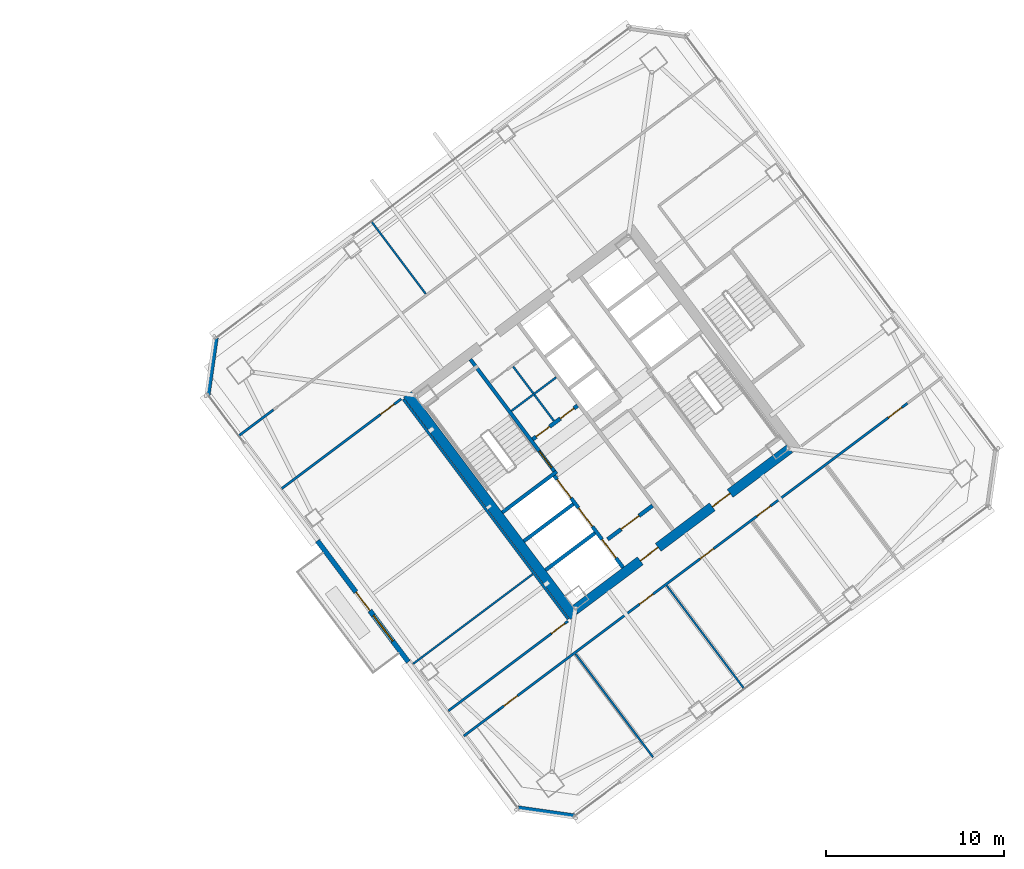
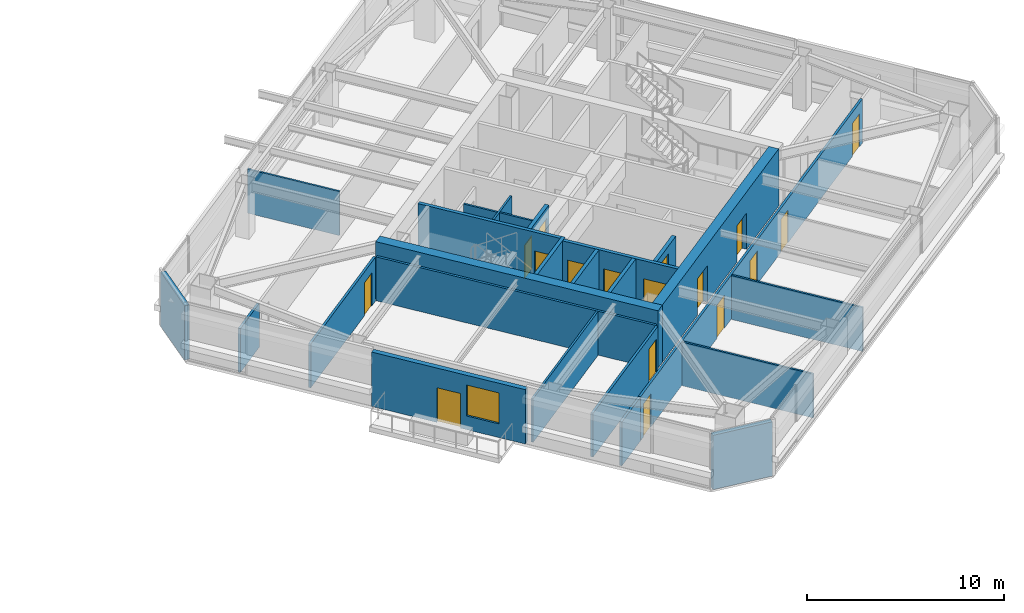
# One storey, part 33 of 41: 24 walls, 17 doors, 1 window, 18 openings.
"""IFC4 building model written with IfcOpenShell, lengths in metres."""

from ifc_helpers import new_model, si_unit, direction, frame, frame_2d, origin, place, context, subcontext, project, spatial, rectangle, extrude, material, layer, layer_set, type_object, element, fill, save


model = new_model("IFC4")

# Units and contexts
model_context = context("Model", 3, precision=1e-05, world=origin(), true_north=direction((0.0, 1.0)))
body_context = subcontext(model_context, "Body", "Model", "MODEL_VIEW")
ifc_project = project(units=[si_unit("LENGTHUNIT", "METRE"), si_unit("AREAUNIT", "SQUARE_METRE"), si_unit("VOLUMEUNIT", "CUBIC_METRE"), si_unit("PLANEANGLEUNIT", "RADIAN"), si_unit("MASSUNIT", "GRAM", prefix="KILO")], contexts=[model_context])

# Site, building, storey
site_placement = place(None, origin())
site = spatial("IfcSite", under=ifc_project, at=site_placement, CompositionType="ELEMENT")
building_placement = place(site_placement, origin())
building = spatial("IfcBuilding", under=site, at=building_placement, Name="Tashvorn Skyway Center", CompositionType="ELEMENT")
storey_placement = place(building_placement, frame((0.0, 0.0, 174.75)))
storey = spatial("IfcBuildingStorey", under=building, at=storey_placement, Name="L47", CompositionType="ELEMENT", Elevation=174.75)

# Wall
ifc_material_1 = material(Name="Concrete C60/75", Category="concrete")
ifc_layer_1 = layer(ifc_material_1, 0.550048828125)
ifc_layer_set_1 = layer_set([ifc_layer_1], Name="Concrete C60/75")
wall_type_1 = type_object("IfcWallType", Name="WALL-CORE-550", PredefinedType="SHEAR", material=ifc_layer_set_1)
wall_1_placement = place(storey_placement, frame((112.43603515625, 21.076904296875, 0.0), z_axis=(0.0, 0.0, 1.0), x_axis=(-0.600005007985, 0.799996243986, 0.0)))
element("IfcWall", 1, at=wall_1_placement, inside=storey, type_object=wall_type_1, Name="Tower 2 L47 West Core Shear Wall", PredefinedType="SHEAR", context=body_context, shape_type="SweptSolid", body=[
    extrude(rectangle(XDim=15.60009765625, YDim=0.550048828125, at=frame_2d((7.800048828125, 0.0))), origin(), (0.0, 0.0, 1.0), 3.550048828125),
])

# Wall, openings, doors
wall_2_placement = place(storey_placement, frame((124.5390625, 30.498046875, 0.0), z_axis=(0.0, 0.0, 1.0), x_axis=(-0.799998054672, -0.600002593761, 0.0)))
wall_2 = element("IfcWall", 2, at=wall_2_placement, inside=storey, type_object=wall_type_1, Name="Tower 2 L47 South Core Shear Wall", PredefinedType="SHEAR", context=body_context, shape_type="SweptSolid", body=[
    extrude(rectangle(XDim=15.06005859375, YDim=0.550048828125, at=frame_2d((7.530029296875, 0.0))), origin(), (0.0, 0.0, 1.0), 3.550048828125),
])
opening_1_placement = place(wall_2_placement, frame((9.22998046875, 0.0, 0.0)))
opening_1 = element("IfcOpeningElement", 3, at=opening_1_placement, cuts=wall_2, Name="Opening D-FFL-1250", PredefinedType="OPENING", context=body_context, shape_type="SweptSolid", body=[
    extrude(rectangle(XDim=1.25, YDim=2.25, at=frame_2d((0.625, 1.125))), frame((0.0, 0.284912109375, 0.0), z_axis=(0.0, -1.0, 0.0), x_axis=(1.0, 0.0, 0.0)), (0.0, 0.0, 1.0), 0.570068359375),
])
opening_2_placement = place(wall_2_placement, frame((4.179931640625, 0.0, 0.0)))
opening_2 = element("IfcOpeningElement", 4, at=opening_2_placement, cuts=wall_2, Name="Opening D-FFL-1250", PredefinedType="OPENING", context=body_context, shape_type="SweptSolid", body=[
    extrude(rectangle(XDim=1.25, YDim=2.25, at=frame_2d((0.625, 1.125))), frame((0.0, 0.284912109375, 0.0), z_axis=(0.0, -1.0, 0.0), x_axis=(1.0, 0.0, 0.0)), (0.0, 0.0, 1.0), 0.570068359375),
])
ifc_material_2 = material(Name="Hollow galvanized steel fire door assembly", Category="steel")
door_type_1 = type_object("IfcDoorType", Name="DOOR-FFL-1250", OperationType="NOTDEFINED", PredefinedType="DOOR", material=ifc_material_2)
door_1_placement = place(opening_1_placement, origin())
door_1 = element("IfcDoor", 5, at=door_1_placement, inside=storey, type_object=door_type_1, Name="Tower 2 L47 Core South Firefighting Exit Door", OperationType="SINGLE_SWING_LEFT", OverallHeight=2.25, OverallWidth=1.25, PredefinedType="DOOR", context=body_context, shape_type="SweptSolid", body=[
    extrude(rectangle(XDim=1.25, YDim=2.25, at=frame_2d((0.625, 1.125))), frame((0.0, 0.02490234375, 0.0), z_axis=(0.0, -1.0, 0.0), x_axis=(1.0, 0.0, 0.0)), (0.0, 0.0, 1.0), 0.050048828125),
])
fill(opening_1, door_1)
door_2_placement = place(opening_2_placement, origin())
door_2 = element("IfcDoor", 6, at=door_2_placement, inside=storey, type_object=door_type_1, Name="Tower 2 L47 Core South Lift Lobby Door", OperationType="SINGLE_SWING_RIGHT", OverallHeight=2.25, OverallWidth=1.25, PredefinedType="DOOR", context=body_context, shape_type="SweptSolid", body=[
    extrude(rectangle(XDim=1.25, YDim=2.25, at=frame_2d((0.625, 1.125))), frame((0.0, 0.02490234375, 0.0), z_axis=(0.0, -1.0, 0.0), x_axis=(1.0, 0.0, 0.0)), (0.0, 0.0, 1.0), 0.050048828125),
])
fill(opening_2, door_2)

# Wall, openings, door, window
ifc_material_3 = material(Name="Precast concrete C40/50", Category="concrete")
ifc_layer_2 = layer(ifc_material_3, 0.280029296875)
ifc_layer_set_2 = layer_set([ifc_layer_2], Name="Precast concrete C40/50")
wall_type_2 = type_object("IfcWallType", Name="WALL-EXT-280", PredefinedType="SOLIDWALL", material=ifc_layer_set_2)
wall_3_placement = place(storey_placement, frame((103.1259765625, 18.531982421875, 0.0), z_axis=(0.0, 0.0, 1.0), x_axis=(-0.600004595526, 0.799996553335, 0.0)))
wall_3 = element("IfcWall", 7, at=wall_3_placement, inside=storey, type_object=wall_type_2, Name="Tower 2 L47 West Terrace Portal Wall", PredefinedType="SOLIDWALL", context=body_context, shape_type="SweptSolid", body=[
    extrude(rectangle(XDim=8.5, YDim=0.280029296875, at=frame_2d((4.25, 0.0))), origin(), (0.0, 0.0, 1.0), 3.3701171875),
])
opening_3_placement = place(wall_3_placement, frame((3.60009765625, 0.0, 0.0)))
opening_3 = element("IfcOpeningElement", 8, at=opening_3_placement, cuts=wall_3, Name="Opening D-TER-1300", PredefinedType="OPENING", context=body_context, shape_type="SweptSolid", body=[
    extrude(rectangle(XDim=1.300048828125, YDim=2.14990234375, at=frame_2d((0.64990234375, 1.074951171875))), frame((0.0, 0.14990234375, 0.0), z_axis=(0.0, -1.0, 0.0), x_axis=(1.0, 0.0, 0.0)), (0.0, 0.0, 1.0), 0.300048828125),
])
opening_4_placement = place(wall_3_placement, frame((1.4599609375, 0.0, 0.85009765625)))
opening_4 = element("IfcOpeningElement", 9, at=opening_4_placement, cuts=wall_3, Name="Opening WIN-1800", PredefinedType="OPENING", context=body_context, shape_type="SweptSolid", body=[
    extrude(rectangle(XDim=1.800048828125, YDim=1.919921875, at=frame_2d((0.89990234375, 0.9599609375))), frame((0.0, 0.14990234375, 0.0), z_axis=(0.0, -1.0, 0.0), x_axis=(1.0, 0.0, 0.0)), (0.0, 0.0, 1.0), 0.300048828125),
])
ifc_material_4 = material(Name="Thermally broken bronze-anodized aluminium 6063-T6", Category="aluminium")
door_type_2 = type_object("IfcDoorType", Name="DOOR-TERR-1300", OperationType="NOTDEFINED", PredefinedType="DOOR", material=ifc_material_4)
door_3_placement = place(opening_3_placement, origin())
door_3 = element("IfcDoor", 10, at=door_3_placement, inside=storey, type_object=door_type_2, Name="Tower 2 L47 Terrace Access Door", OperationType="SINGLE_SWING_RIGHT", OverallHeight=2.14990234375, OverallWidth=1.300048828125, PredefinedType="DOOR", context=body_context, shape_type="SweptSolid", body=[
    extrude(rectangle(XDim=1.300048828125, YDim=2.14990234375, at=frame_2d((0.64990234375, 1.074951171875))), frame((0.0, 0.02490234375, 0.0), z_axis=(0.0, -1.0, 0.0), x_axis=(1.0, 0.0, 0.0)), (0.0, 0.0, 1.0), 0.050048828125),
])
fill(opening_3, door_3)
ifc_material_5 = material(Name="Low-E solar-control double insulating safety glass", Category="glass")
window_type = type_object("IfcWindowType", Name="WIN-TERR-1800", PartitioningType="SINGLE_PANEL", PredefinedType="WINDOW", material=ifc_material_5)
window_placement = place(opening_4_placement, origin())
window = element("IfcWindow", 11, at=window_placement, inside=storey, type_object=window_type, Name="Tower 2 L47 Terrace Window", OverallHeight=1.919921875, OverallWidth=1.800048828125, PartitioningType="SINGLE_PANEL", PredefinedType="WINDOW", context=body_context, shape_type="SweptSolid", body=[
    extrude(rectangle(XDim=1.800048828125, YDim=1.919921875, at=frame_2d((0.89990234375, 0.9599609375))), frame((0.0, 0.030029296875, 0.0), z_axis=(0.0, -1.0, 0.0), x_axis=(1.0, 0.0, 0.0)), (0.0, 0.0, 1.0), 0.06005859375),
])
fill(opening_4, window)

# Walls
for number, where, z_axis, x_axis, name in (
    (12, (112.47998046875, 9.860107421875, 0.0), (0.0, 0.0, 1.0), (-0.989950994782, 0.141410847992, 0.0), "Tower 2 L47 SW Precast Chamfer Wall"),
    (13, (91.860107421875, 33.52001953125, 0.0), (0.0, 0.0, 1.0), (0.141410847992, 0.989950994782, 0.0), "Tower 2 L47 NW Precast Chamfer Wall"),
):
    element("IfcWall", number, at=place(storey_placement, frame(where, z_axis=z_axis, x_axis=x_axis)), inside=storey, type_object=wall_type_2, Name=name, PredefinedType="SOLIDWALL", context=body_context, shape_type="SweptSolid", body=[
        extrude(rectangle(XDim=3.252685546875, YDim=0.280029296875, at=frame_2d((1.62646484375, 0.0))), origin(), (0.0, 0.0, 1.0), 3.3701171875),
    ])

# Wall, openings, doors
ifc_material_6 = material(Name="Concrete C40/50", Category="concrete")
ifc_layer_3 = layer(ifc_material_6, 0.219970703125)
ifc_layer_set_3 = layer_set([ifc_layer_3], Name="Concrete C40/50")
wall_type_3 = type_object("IfcWallType", Name="WALL-FFL-220", PredefinedType="SOLIDWALL", material=ifc_layer_set_3)
wall_4_placement = place(storey_placement, frame((110.10400390625, 31.028076171875, 0.0), z_axis=(0.0, 0.0, 1.0), x_axis=(0.800018601094, 0.59997519774, 0.0)))
wall_4 = element("IfcWall", 14, at=wall_4_placement, inside=storey, type_object=wall_type_3, Name="Tower 2 L47 Firefighting Lobby North Wall", PredefinedType="SOLIDWALL", context=body_context, shape_type="SweptSolid", body=[
    extrude(rectangle(XDim=3.14990234375, YDim=0.219970703125, at=frame_2d((1.574951171875, 0.0))), origin(), (0.0, 0.0, 1.0), 2.722900390625),
])
opening_5_placement = place(wall_4_placement, frame((0.25, 0.0, 0.0)))
opening_5 = element("IfcOpeningElement", 15, at=opening_5_placement, cuts=wall_4, Name="Opening D-RT-950", PredefinedType="OPENING", context=body_context, shape_type="SweptSolid", body=[
    extrude(rectangle(XDim=0.949951171875, YDim=2.050048828125, at=frame_2d((0.47509765625, 1.02490234375))), frame((0.0, 0.119873046875, 0.0), z_axis=(0.0, -1.0, 0.0), x_axis=(1.0, 0.0, 0.0)), (0.0, 0.0, 1.0), 0.239990234375),
])
opening_6_placement = place(wall_4_placement, frame((1.949951171875, 0.0, 0.0)))
opening_6 = element("IfcOpeningElement", 16, at=opening_6_placement, cuts=wall_4, Name="Opening D-RT-950", PredefinedType="OPENING", context=body_context, shape_type="SweptSolid", body=[
    extrude(rectangle(XDim=0.949951171875, YDim=2.050048828125, at=frame_2d((0.47509765625, 1.02490234375))), frame((0.0, 0.119873046875, 0.0), z_axis=(0.0, -1.0, 0.0), x_axis=(1.0, 0.0, 0.0)), (0.0, 0.0, 1.0), 0.239990234375),
])
door_type_3 = type_object("IfcDoorType", Name="DOOR-RATED-950", OperationType="NOTDEFINED", PredefinedType="DOOR", material=ifc_material_2)
door_4_placement = place(opening_5_placement, origin())
door_4 = element("IfcDoor", 17, at=door_4_placement, inside=storey, type_object=door_type_3, Name="Tower 2 L47 Core Mail Room Door", OperationType="SINGLE_SWING_LEFT", OverallHeight=2.050048828125, OverallWidth=0.949951171875, PredefinedType="DOOR", context=body_context, shape_type="SweptSolid", body=[
    extrude(rectangle(XDim=0.949951171875, YDim=2.050048828125, at=frame_2d((0.47509765625, 1.02490234375))), frame((0.0, 0.02490234375, 0.0), z_axis=(0.0, -1.0, 0.0), x_axis=(1.0, 0.0, 0.0)), (0.0, 0.0, 1.0), 0.050048828125),
])
fill(opening_5, door_4)
door_5_placement = place(opening_6_placement, origin())
door_5 = element("IfcDoor", 18, at=door_5_placement, inside=storey, type_object=door_type_3, Name="Tower 2 L47 Core Supply Closet Door", OperationType="SINGLE_SWING_RIGHT", OverallHeight=2.050048828125, OverallWidth=0.949951171875, PredefinedType="DOOR", context=body_context, shape_type="SweptSolid", body=[
    extrude(rectangle(XDim=0.949951171875, YDim=2.050048828125, at=frame_2d((0.47509765625, 1.02490234375))), frame((0.0, 0.02490234375, 0.0), z_axis=(0.0, -1.0, 0.0), x_axis=(1.0, 0.0, 0.0)), (0.0, 0.0, 1.0), 0.050048828125),
])
fill(opening_6, door_5)

# Wall, opening, door
wall_5_placement = place(storey_placement, frame((114.31591796875, 25.412109375, 0.0), z_axis=(0.0, 0.0, 1.0), x_axis=(0.800018601094, 0.59997519774, 0.0)))
wall_5 = element("IfcWall", 19, at=wall_5_placement, inside=storey, type_object=wall_type_3, Name="Tower 2 L47 Firefighting Lobby South Wall", PredefinedType="SOLIDWALL", context=body_context, shape_type="SweptSolid", body=[
    extrude(rectangle(XDim=3.14990234375, YDim=0.219970703125, at=frame_2d((1.574951171875, 0.0))), origin(), (0.0, 0.0, 1.0), 2.722900390625),
])
opening_7_placement = place(wall_5_placement, frame((0.949951171875, 0.0, 0.0)))
opening_7 = element("IfcOpeningElement", 20, at=opening_7_placement, cuts=wall_5, Name="Opening D-FFL-1250", PredefinedType="OPENING", context=body_context, shape_type="SweptSolid", body=[
    extrude(rectangle(XDim=1.25, YDim=2.25, at=frame_2d((0.625, 1.125))), frame((0.0, 0.119873046875, 0.0), z_axis=(0.0, -1.0, 0.0), x_axis=(1.0, 0.0, 0.0)), (0.0, 0.0, 1.0), 0.239990234375),
])
door_6_placement = place(opening_7_placement, origin())
door_6 = element("IfcDoor", 21, at=door_6_placement, inside=storey, type_object=door_type_1, Name="Tower 2 L47 Firefighting Lobby Egress Door", OperationType="SINGLE_SWING_LEFT", OverallHeight=2.25, OverallWidth=1.25, PredefinedType="DOOR", context=body_context, shape_type="SweptSolid", body=[
    extrude(rectangle(XDim=1.25, YDim=2.25, at=frame_2d((0.625, 1.125))), frame((0.0, 0.02490234375, 0.0), z_axis=(0.0, -1.0, 0.0), x_axis=(1.0, 0.0, 0.0)), (0.0, 0.0, 1.0), 0.050048828125),
])
fill(opening_7, door_6)

# Walls
ifc_material_7 = material(Name="Gypsum board on cold-formed steel stud framing", Category="steel")
ifc_layer_4 = layer(ifc_material_7, 0.110107421875)
ifc_layer_set_4 = layer_set([ifc_layer_4], Name="Gypsum board on cold-formed steel stud framing")
wall_type_4 = type_object("IfcWallType", Name="WALL-PART-110", PredefinedType="PARTITIONING", material=ifc_layer_set_4)
wall_6_placement = place(storey_placement, frame((104.10009765625, 39.199951171875, 0.0), z_axis=(0.0, 0.0, 1.0), x_axis=(-0.600015378737, 0.799988465716, 0.0)))
element("IfcWall", 22, at=wall_6_placement, inside=storey, type_object=wall_type_4, Name="Tower 2 L47 North Suite Partition 1", PredefinedType="PARTITIONING", context=body_context, shape_type="SweptSolid", body=[
    extrude(rectangle(XDim=5.080078125, YDim=0.110107421875, at=frame_2d((2.5400390625, 0.0))), origin(), (0.0, 0.0, 1.0), 2.722900390625),
])
for number, where, z_axis, x_axis, name in (
    (23, (116.867919921875, 13.176025390625, 0.0), (0.0, 0.0, 1.0), (-0.599983835976, 0.800012122763, 0.0), "Tower 2 L47 South Suite Partition 1"),
    (24, (121.988037109375, 17.01611328125, 0.0), (0.0, 0.0, 1.0), (-0.600021551797, 0.799983835699, 0.0), "Tower 2 L47 South Suite Partition 2"),
):
    element("IfcWall", number, at=place(storey_placement, frame(where, z_axis=z_axis, x_axis=x_axis)), inside=storey, type_object=wall_type_4, Name=name, PredefinedType="PARTITIONING", context=body_context, shape_type="SweptSolid", body=[
        extrude(rectangle(XDim=7.25, YDim=0.110107421875, at=frame_2d((3.625, 0.0))), origin(), (0.0, 0.0, 1.0), 2.722900390625),
    ])
wall_7_placement = place(storey_placement, frame((103.39599609375, 18.422119140625, 0.0), z_axis=(0.0, 0.0, 1.0), x_axis=(0.8, 0.6, 0.0)))
element("IfcWall", 25, at=wall_7_placement, inside=storey, type_object=wall_type_4, Name="Tower 2 L47 West Mid Partition", PredefinedType="PARTITIONING", context=body_context, shape_type="SweptSolid", body=[
    extrude(rectangle(XDim=8.389892578125, YDim=0.110107421875, at=frame_2d((4.19482421875, 0.0))), origin(), (0.0, 0.0, 1.0), 2.722900390625),
])
ifc_layer_5 = layer(ifc_material_7, 0.135009765625)
ifc_layer_set_5 = layer_set([ifc_layer_5], Name="Gypsum board on cold-formed steel stud framing")
wall_type_5 = type_object("IfcWallType", Name="WALL-PART-135", PredefinedType="PARTITIONING", material=ifc_layer_set_5)
wall_8_placement = place(storey_placement, frame((93.60400390625, 31.22802734375, 0.0), z_axis=(0.0, 0.0, 1.0), x_axis=(0.800012055778, 0.599983925293, 0.0)))
element("IfcWall", 26, at=wall_8_placement, inside=storey, type_object=wall_type_5, Name="Tower 2 L47 North-West Suite South Wall", PredefinedType="PARTITIONING", context=body_context, shape_type="SweptSolid", body=[
    extrude(rectangle(XDim=2.43017578125, YDim=0.135009765625, at=frame_2d((1.215087890625, 0.0))), origin(), (0.0, 0.0, 1.0), 2.722900390625),
])

# Wall, openings, doors
wall_9_placement = place(storey_placement, frame((131.14990234375, 33.050048828125, 0.0), z_axis=(0.0, 0.0, 1.0), x_axis=(-0.8, -0.6, 0.0)))
wall_9 = element("IfcWall", 27, at=wall_9_placement, inside=storey, type_object=wall_type_5, Name="Tower 2 L47 South Suite Wall", PredefinedType="PARTITIONING", context=body_context, shape_type="SweptSolid", body=[
    extrude(rectangle(XDim=28.699951171875, YDim=0.135009765625, at=frame_2d((14.35009765625, 0.0))), origin(), (0.0, 0.0, 1.0), 2.722900390625),
])
opening_8_placement = place(wall_9_placement, frame((27.3701171875, 0.0, 0.0)))
opening_8 = element("IfcOpeningElement", 28, at=opening_8_placement, cuts=wall_9, Name="Opening D-INT-950", PredefinedType="OPENING", context=body_context, shape_type="SweptSolid", body=[
    extrude(rectangle(XDim=0.949951171875, YDim=2.050048828125, at=frame_2d((0.47509765625, 1.02490234375))), frame((0.0, 0.077392578125, 0.0), z_axis=(0.0, -1.0, 0.0), x_axis=(1.0, 0.0, 0.0)), (0.0, 0.0, 1.0), 0.155029296875),
])
opening_9_placement = place(wall_9_placement, frame((17.85107421875, 0.0, 0.0)))
opening_9 = element("IfcOpeningElement", 29, at=opening_9_placement, cuts=wall_9, Name="Opening D-INT-950", PredefinedType="OPENING", context=body_context, shape_type="SweptSolid", body=[
    extrude(rectangle(XDim=0.949951171875, YDim=2.050048828125, at=frame_2d((0.47509765625, 1.02490234375))), frame((0.0, 0.077392578125, 0.0), z_axis=(0.0, -1.0, 0.0), x_axis=(1.0, 0.0, 0.0)), (0.0, 0.0, 1.0), 0.155029296875),
])
opening_10_placement = place(wall_9_placement, frame((13.601318359375, 0.0, 0.0)))
opening_10 = element("IfcOpeningElement", 30, at=opening_10_placement, cuts=wall_9, Name="Opening D-INT-950", PredefinedType="OPENING", context=body_context, shape_type="SweptSolid", body=[
    extrude(rectangle(XDim=0.949951171875, YDim=2.050048828125, at=frame_2d((0.47509765625, 1.02490234375))), frame((0.0, 0.077392578125, 0.0), z_axis=(0.0, -1.0, 0.0), x_axis=(1.0, 0.0, 0.0)), (0.0, 0.0, 1.0), 0.155029296875),
])
opening_11_placement = place(wall_9_placement, frame((9.6201171875, 0.0, 0.0)))
opening_11 = element("IfcOpeningElement", 31, at=opening_11_placement, cuts=wall_9, Name="Opening D-INT-950", PredefinedType="OPENING", context=body_context, shape_type="SweptSolid", body=[
    extrude(rectangle(XDim=0.949951171875, YDim=2.050048828125, at=frame_2d((0.47509765625, 1.02490234375))), frame((0.0, 0.077392578125, 0.0), z_axis=(0.0, -1.0, 0.0), x_axis=(1.0, 0.0, 0.0)), (0.0, 0.0, 1.0), 0.155029296875),
])
opening_12_placement = place(wall_9_placement, frame((0.3798828125, 0.0, 0.0)))
opening_12 = element("IfcOpeningElement", 32, at=opening_12_placement, cuts=wall_9, Name="Opening D-INT-950", PredefinedType="OPENING", context=body_context, shape_type="SweptSolid", body=[
    extrude(rectangle(XDim=0.949951171875, YDim=2.050048828125, at=frame_2d((0.47509765625, 1.02490234375))), frame((0.0, 0.077392578125, 0.0), z_axis=(0.0, -1.0, 0.0), x_axis=(1.0, 0.0, 0.0)), (0.0, 0.0, 1.0), 0.155029296875),
])
ifc_material_8 = material(Name="Solid-core architectural oak veneer door")
door_type_4 = type_object("IfcDoorType", Name="DOOR-INT-950", OperationType="NOTDEFINED", PredefinedType="DOOR", material=ifc_material_8)
door_7_placement = place(opening_8_placement, origin())
door_7 = element("IfcDoor", 33, at=door_7_placement, inside=storey, type_object=door_type_4, Name="Tower 2 L47 Executive Study Lounge Door", OperationType="SINGLE_SWING_LEFT", OverallHeight=2.050048828125, OverallWidth=0.949951171875, PredefinedType="DOOR", context=body_context, shape_type="SweptSolid", body=[
    extrude(rectangle(XDim=0.949951171875, YDim=2.050048828125, at=frame_2d((0.47509765625, 1.02490234375))), frame((0.0, 0.02490234375, 0.0), z_axis=(0.0, -1.0, 0.0), x_axis=(1.0, 0.0, 0.0)), (0.0, 0.0, 1.0), 0.050048828125),
])
fill(opening_8, door_7)
door_8_placement = place(opening_9_placement, origin())
door_8 = element("IfcDoor", 34, at=door_8_placement, inside=storey, type_object=door_type_4, Name="Tower 2 L47 Collaborative Studio Door", OperationType="SINGLE_SWING_RIGHT", OverallHeight=2.050048828125, OverallWidth=0.949951171875, PredefinedType="DOOR", context=body_context, shape_type="SweptSolid", body=[
    extrude(rectangle(XDim=0.949951171875, YDim=2.050048828125, at=frame_2d((0.47509765625, 1.02490234375))), frame((0.0, 0.02490234375, 0.0), z_axis=(0.0, -1.0, 0.0), x_axis=(1.0, 0.0, 0.0)), (0.0, 0.0, 1.0), 0.050048828125),
])
fill(opening_9, door_8)
door_9_placement = place(opening_10_placement, origin())
door_9 = element("IfcDoor", 35, at=door_9_placement, inside=storey, type_object=door_type_4, Name="Tower 2 L47 Collaborative Studio Door", OperationType="SINGLE_SWING_LEFT", OverallHeight=2.050048828125, OverallWidth=0.949951171875, PredefinedType="DOOR", context=body_context, shape_type="SweptSolid", body=[
    extrude(rectangle(XDim=0.949951171875, YDim=2.050048828125, at=frame_2d((0.47509765625, 1.02490234375))), frame((0.0, 0.02490234375, 0.0), z_axis=(0.0, -1.0, 0.0), x_axis=(1.0, 0.0, 0.0)), (0.0, 0.0, 1.0), 0.050048828125),
])
fill(opening_10, door_9)
door_10_placement = place(opening_11_placement, origin())
door_10 = element("IfcDoor", 36, at=door_10_placement, inside=storey, type_object=door_type_4, Name="Tower 2 L47 Reading Lounge Door", OperationType="SINGLE_SWING_RIGHT", OverallHeight=2.050048828125, OverallWidth=0.949951171875, PredefinedType="DOOR", context=body_context, shape_type="SweptSolid", body=[
    extrude(rectangle(XDim=0.949951171875, YDim=2.050048828125, at=frame_2d((0.47509765625, 1.02490234375))), frame((0.0, 0.02490234375, 0.0), z_axis=(0.0, -1.0, 0.0), x_axis=(1.0, 0.0, 0.0)), (0.0, 0.0, 1.0), 0.050048828125),
])
fill(opening_11, door_10)
door_11_placement = place(opening_12_placement, origin())
door_11 = element("IfcDoor", 37, at=door_11_placement, inside=storey, type_object=door_type_4, Name="Tower 2 L47 Open Plan Office Door", OperationType="SINGLE_SWING_LEFT", OverallHeight=2.050048828125, OverallWidth=0.949951171875, PredefinedType="DOOR", context=body_context, shape_type="SweptSolid", body=[
    extrude(rectangle(XDim=0.949951171875, YDim=2.050048828125, at=frame_2d((0.47509765625, 1.02490234375))), frame((0.0, 0.02490234375, 0.0), z_axis=(0.0, -1.0, 0.0), x_axis=(1.0, 0.0, 0.0)), (0.0, 0.0, 1.0), 0.050048828125),
])
fill(opening_12, door_11)

# Walls
wall_10_placement = place(storey_placement, frame((106.24609375, 14.3720703125, 0.0), z_axis=(0.0, 0.0, 1.0), x_axis=(0.799975885537, 0.600032151272, 0.0)))
element("IfcWall", 38, at=wall_10_placement, inside=storey, type_object=wall_type_5, Name="Tower 2 L47 South-West Suite North Wall", PredefinedType="PARTITIONING", context=body_context, shape_type="SweptSolid", body=[
    extrude(rectangle(XDim=2.429931640625, YDim=0.135009765625, at=frame_2d((1.21484375, 0.0))), origin(), (0.0, 0.0, 1.0), 2.722900390625),
])
wall_11_placement = place(storey_placement, frame((112.10400390625, 20.927978515625, 0.0), z_axis=(0.0, 0.0, 1.0), x_axis=(-0.599994940075, 0.800003794918, 0.0)))
element("IfcWall", 39, at=wall_11_placement, inside=storey, type_object=wall_type_5, Name="Tower 2 L47 West Inner Suite Wall", PredefinedType="PARTITIONING", context=body_context, shape_type="SweptSolid", body=[
    extrude(rectangle(XDim=15.43994140625, YDim=0.135009765625, at=frame_2d((7.719970703125, 0.0))), origin(), (0.0, 0.0, 1.0), 2.722900390625),
])

# Wall, opening, door
wall_12_placement = place(storey_placement, frame((102.72802734375, 33.2958984375, 0.0), z_axis=(0.0, 0.0, 1.0), x_axis=(-0.8, -0.6, 0.0)))
wall_12 = element("IfcWall", 40, at=wall_12_placement, inside=storey, type_object=wall_type_5, Name="Tower 2 L47 West Suite North Wall", PredefinedType="PARTITIONING", context=body_context, shape_type="SweptSolid", body=[
    extrude(rectangle(XDim=8.389892578125, YDim=0.135009765625, at=frame_2d((4.19482421875, 0.0))), origin(), (0.0, 0.0, 1.0), 2.722900390625),
])
opening_13_placement = place(wall_12_placement, frame((0.5, 0.0, 0.0)))
opening_13 = element("IfcOpeningElement", 41, at=opening_13_placement, cuts=wall_12, Name="Opening D-INT-950", PredefinedType="OPENING", context=body_context, shape_type="SweptSolid", body=[
    extrude(rectangle(XDim=0.949951171875, YDim=2.050048828125, at=frame_2d((0.47509765625, 1.02490234375))), frame((0.0, 0.077392578125, 0.0), z_axis=(0.0, -1.0, 0.0), x_axis=(1.0, 0.0, 0.0)), (0.0, 0.0, 1.0), 0.155029296875),
])
door_12_placement = place(opening_13_placement, origin())
door_12 = element("IfcDoor", 42, at=door_12_placement, inside=storey, type_object=door_type_4, Name="Tower 2 L47 Reading Lounge Door", OperationType="SINGLE_SWING_RIGHT", OverallHeight=2.050048828125, OverallWidth=0.949951171875, PredefinedType="DOOR", context=body_context, shape_type="SweptSolid", body=[
    extrude(rectangle(XDim=0.949951171875, YDim=2.050048828125, at=frame_2d((0.47509765625, 1.02490234375))), frame((0.0, 0.02490234375, 0.0), z_axis=(0.0, -1.0, 0.0), x_axis=(1.0, 0.0, 0.0)), (0.0, 0.0, 1.0), 0.050048828125),
])
fill(opening_13, door_12)

wall_13_placement = place(storey_placement, frame((105.3759765625, 15.781982421875, 0.0), z_axis=(0.0, 0.0, 1.0), x_axis=(0.8, 0.6, 0.0)))
wall_13 = element("IfcWall", 43, at=wall_13_placement, inside=storey, type_object=wall_type_5, Name="Tower 2 L47 West Suite South Wall", PredefinedType="PARTITIONING", context=body_context, shape_type="SweptSolid", body=[
    extrude(rectangle(XDim=8.389892578125, YDim=0.135009765625, at=frame_2d((4.19482421875, 0.0))), origin(), (0.0, 0.0, 1.0), 2.722900390625),
])
opening_14_placement = place(wall_13_placement, frame((7.22998046875, 0.0, 0.0)))
opening_14 = element("IfcOpeningElement", 44, at=opening_14_placement, cuts=wall_13, Name="Opening D-INT-950", PredefinedType="OPENING", context=body_context, shape_type="SweptSolid", body=[
    extrude(rectangle(XDim=0.949951171875, YDim=2.050048828125, at=frame_2d((0.47509765625, 1.02490234375))), frame((0.0, 0.077392578125, 0.0), z_axis=(0.0, -1.0, 0.0), x_axis=(1.0, 0.0, 0.0)), (0.0, 0.0, 1.0), 0.155029296875),
])
door_13_placement = place(opening_14_placement, origin())
door_13 = element("IfcDoor", 45, at=door_13_placement, inside=storey, type_object=door_type_4, Name="Tower 2 L47 Public Restroom Door", OperationType="SINGLE_SWING_LEFT", OverallHeight=2.050048828125, OverallWidth=0.949951171875, PredefinedType="DOOR", context=body_context, shape_type="SweptSolid", body=[
    extrude(rectangle(XDim=0.949951171875, YDim=2.050048828125, at=frame_2d((0.47509765625, 1.02490234375))), frame((0.0, 0.02490234375, 0.0), z_axis=(0.0, -1.0, 0.0), x_axis=(1.0, 0.0, 0.0)), (0.0, 0.0, 1.0), 0.050048828125),
])
fill(opening_14, door_13)

# Walls
ifc_layer_6 = layer(ifc_material_7, 0.110107421875)
ifc_layer_set_6 = layer_set([ifc_layer_6], Name="Gypsum board on cold-formed steel stud framing")
wall_type_6 = type_object("IfcWallType", Name="WALL-RATED-110", PredefinedType="PARTITIONING", material=ifc_layer_set_6)
wall_14_placement = place(storey_placement, frame((111.2958984375, 32.072021484375, 0.0), z_axis=(0.0, 0.0, 1.0), x_axis=(-0.59995887973, 0.800030838552, 0.0)))
element("IfcWall", 46, at=wall_14_placement, inside=storey, type_object=wall_type_6, Name="Tower 2 L47 Core Cross Vertical", PredefinedType="PARTITIONING", context=body_context, shape_type="SweptSolid", body=[
    extrude(rectangle(XDim=3.7998046875, YDim=0.110107421875, at=frame_2d((1.89990234375, 0.0))), origin(), (0.0, 0.0, 1.0), 2.722900390625),
])
wall_15_placement = place(storey_placement, frame((108.909912109375, 32.6201171875, 0.0), z_axis=(0.0, 0.0, 1.0), x_axis=(0.800018601094, 0.59997519774, 0.0)))
element("IfcWall", 47, at=wall_15_placement, inside=storey, type_object=wall_type_6, Name="Tower 2 L47 Core Cross Horizontal", PredefinedType="PARTITIONING", context=body_context, shape_type="SweptSolid", body=[
    extrude(rectangle(XDim=3.14990234375, YDim=0.110107421875, at=frame_2d((1.574951171875, 0.0))), origin(), (0.0, 0.0, 1.0), 2.722900390625),
])
ifc_layer_7 = layer(ifc_material_6, 0.199951171875)
ifc_layer_set_7 = layer_set([ifc_layer_7], Name="Concrete C40/50")
wall_type_7 = type_object("IfcWallType", Name="WALL-SHAFT-200", PredefinedType="SOLIDWALL", material=ifc_layer_set_7)
for number, where, z_axis, x_axis, name in (
    (48, (110.825927734375, 23.681884765625, 0.0), (0.0, 0.0, 1.0), (0.8, 0.6, 0.0), "Tower 2 L47 FSAE Shaft Divider"),
    (49, (109.60791015625, 25.305908203125, 0.0), (0.0, 0.0, 1.0), (0.8, 0.6, 0.0), "Tower 2 L47 FSAE Shaft Divider"),
):
    element("IfcWall", number, at=place(storey_placement, frame(where, z_axis=z_axis, x_axis=x_axis)), inside=storey, type_object=wall_type_7, Name=name, PredefinedType="SOLIDWALL", context=body_context, shape_type="SweptSolid", body=[
        extrude(rectangle(XDim=3.480224609375, YDim=0.199951171875, at=frame_2d((1.740234375, 0.0))), origin(), (0.0, 0.0, 1.0), 3.3701171875),
    ])

# Wall, opening, door
ifc_layer_8 = layer(ifc_material_6, 0.199951171875)
ifc_layer_set_8 = layer_set([ifc_layer_8], Name="Concrete C40/50")
wall_type_8 = type_object("IfcWallType", Name="WALL-STSHF-200", PredefinedType="SHEAR", material=ifc_layer_set_8)
wall_16_placement = place(storey_placement, frame((111.43994140625, 29.080078125, 0.0), z_axis=(0.0, 0.0, 1.0), x_axis=(-0.59999029481, 0.8000072788, 0.0)))
wall_16 = element("IfcWall", 50, at=wall_16_placement, inside=storey, type_object=wall_type_8, Name="Tower 2 L47 Stair 1 Enclosure Wall", PredefinedType="SHEAR", context=body_context, shape_type="SweptSolid", body=[
    extrude(rectangle(XDim=8.0498046875, YDim=0.199951171875, at=frame_2d((4.02490234375, 0.0))), origin(), (0.0, 0.0, 1.0), 3.3701171875),
])
opening_15_placement = place(wall_16_placement, frame((0.449951171875, 0.0, 0.0)))
opening_15 = element("IfcOpeningElement", 51, at=opening_15_placement, cuts=wall_16, Name="Opening D-ST-1150", PredefinedType="OPENING", context=body_context, shape_type="SweptSolid", body=[
    extrude(rectangle(XDim=1.14990234375, YDim=2.199951171875, at=frame_2d((0.574951171875, 1.10009765625))), frame((0.0, 0.10986328125, 0.0), z_axis=(0.0, -1.0, 0.0), x_axis=(1.0, 0.0, 0.0)), (0.0, 0.0, 1.0), 0.219970703125),
])
door_type_5 = type_object("IfcDoorType", Name="DOOR-STAIR-1150", OperationType="NOTDEFINED", PredefinedType="DOOR", material=ifc_material_2)
door_14_placement = place(opening_15_placement, origin())
door_14 = element("IfcDoor", 52, at=door_14_placement, inside=storey, type_object=door_type_5, Name="Tower 2 L47 Exit Stair 1 Door", OperationType="SINGLE_SWING_RIGHT", OverallHeight=2.199951171875, OverallWidth=1.14990234375, PredefinedType="DOOR", context=body_context, shape_type="SweptSolid", body=[
    extrude(rectangle(XDim=1.14990234375, YDim=2.199951171875, at=frame_2d((0.574951171875, 1.10009765625))), frame((0.0, 0.02490234375, 0.0), z_axis=(0.0, -1.0, 0.0), x_axis=(1.0, 0.0, 0.0)), (0.0, 0.0, 1.0), 0.050048828125),
])
fill(opening_15, door_14)

# Wall
wall_17_placement = place(storey_placement, frame((108.39599609375, 26.922119140625, 0.0), z_axis=(0.0, 0.0, 1.0), x_axis=(0.800015298837, 0.599979601008, 0.0)))
element("IfcWall", 53, at=wall_17_placement, inside=storey, type_object=wall_type_8, Name="Tower 2 L47 Stair 1 South Wall", PredefinedType="SHEAR", context=body_context, shape_type="SweptSolid", body=[
    extrude(rectangle(XDim=3.829833984375, YDim=0.199951171875, at=frame_2d((1.9150390625, 0.0))), origin(), (0.0, 0.0, 1.0), 3.3701171875),
])

# Wall, openings, doors
wall_18_placement = place(storey_placement, frame((115.18994140625, 23.830078125, 0.0), z_axis=(0.0, 0.0, 1.0), x_axis=(-0.599993943644, 0.800004542231, 0.0)))
wall_18 = element("IfcWall", 54, at=wall_18_placement, inside=storey, type_object=wall_type_8, Name="Tower 2 L47 FSAE and Goods Shaft Front Wall", PredefinedType="SHEAR", context=body_context, shape_type="SweptSolid", body=[
    extrude(rectangle(XDim=6.449951171875, YDim=0.199951171875, at=frame_2d((3.22509765625, 0.0))), origin(), (0.0, 0.0, 1.0), 3.3701171875),
])
opening_16_placement = place(wall_18_placement, frame((4.875, 0.0, 0.0)))
opening_16 = element("IfcOpeningElement", 55, at=opening_16_placement, cuts=wall_18, Name="Opening LD-FF-T2-1-L47", PredefinedType="OPENING", context=body_context, shape_type="SweptSolid", body=[
    extrude(rectangle(XDim=1.300048828125, YDim=2.25, at=frame_2d((0.64990234375, 1.125))), frame((0.0, 0.10986328125, 0.0), z_axis=(0.0, -1.0, 0.0), x_axis=(1.0, 0.0, 0.0)), (0.0, 0.0, 1.0), 0.219970703125),
])
opening_17_placement = place(wall_18_placement, frame((2.875, 0.0, 0.0)))
opening_17 = element("IfcOpeningElement", 56, at=opening_17_placement, cuts=wall_18, Name="Opening LD-FF-T2-2-L47", PredefinedType="OPENING", context=body_context, shape_type="SweptSolid", body=[
    extrude(rectangle(XDim=1.300048828125, YDim=2.25, at=frame_2d((0.64990234375, 1.125))), frame((0.0, 0.10986328125, 0.0), z_axis=(0.0, -1.0, 0.0), x_axis=(1.0, 0.0, 0.0)), (0.0, 0.0, 1.0), 0.219970703125),
])
opening_18_placement = place(wall_18_placement, frame((0.675048828125, 0.0, 0.0)))
opening_18 = element("IfcOpeningElement", 57, at=opening_18_placement, cuts=wall_18, Name="Opening LD-GD-T2-1-L47", PredefinedType="OPENING", context=body_context, shape_type="SweptSolid", body=[
    extrude(rectangle(XDim=1.300048828125, YDim=2.25, at=frame_2d((0.64990234375, 1.125))), frame((0.0, 0.10986328125, 0.0), z_axis=(0.0, -1.0, 0.0), x_axis=(1.0, 0.0, 0.0)), (0.0, 0.0, 1.0), 0.219970703125),
])
ifc_material_9 = material(Name="Stainless steel heavy-duty landing door", Category="steel")
door_type_6 = type_object("IfcDoorType", Name="DOOR-LIFT-1300", OperationType="SLIDING_TO_LEFT", PredefinedType="DOOR", material=ifc_material_9)
door_15_placement = place(opening_16_placement, origin())
door_15 = element("IfcDoor", 58, at=door_15_placement, inside=storey, type_object=door_type_6, Name="Lift FF-T2-1 L47 Landing Door", OperationType="SLIDING_TO_LEFT", OverallHeight=2.25, OverallWidth=1.300048828125, PredefinedType="DOOR", context=body_context, shape_type="SweptSolid", body=[
    extrude(rectangle(XDim=1.300048828125, YDim=2.25, at=frame_2d((0.64990234375, 1.125))), frame((0.0, 0.02490234375, 0.0), z_axis=(0.0, -1.0, 0.0), x_axis=(1.0, 0.0, 0.0)), (0.0, 0.0, 1.0), 0.050048828125),
])
fill(opening_16, door_15)
door_16_placement = place(opening_17_placement, origin())
door_16 = element("IfcDoor", 59, at=door_16_placement, inside=storey, type_object=door_type_6, Name="Lift FF-T2-2 L47 Landing Door", OperationType="SLIDING_TO_LEFT", OverallHeight=2.25, OverallWidth=1.300048828125, PredefinedType="DOOR", context=body_context, shape_type="SweptSolid", body=[
    extrude(rectangle(XDim=1.300048828125, YDim=2.25, at=frame_2d((0.64990234375, 1.125))), frame((0.0, 0.02490234375, 0.0), z_axis=(0.0, -1.0, 0.0), x_axis=(1.0, 0.0, 0.0)), (0.0, 0.0, 1.0), 0.050048828125),
])
fill(opening_17, door_16)
door_17_placement = place(opening_18_placement, origin())
door_17 = element("IfcDoor", 60, at=door_17_placement, inside=storey, type_object=door_type_6, Name="Lift GD-T2-1 L47 Landing Door", OperationType="SLIDING_TO_LEFT", OverallHeight=2.25, OverallWidth=1.300048828125, PredefinedType="DOOR", context=body_context, shape_type="SweptSolid", body=[
    extrude(rectangle(XDim=1.300048828125, YDim=2.25, at=frame_2d((0.64990234375, 1.125))), frame((0.0, 0.02490234375, 0.0), z_axis=(0.0, -1.0, 0.0), x_axis=(1.0, 0.0, 0.0)), (0.0, 0.0, 1.0), 0.050048828125),
])
fill(opening_18, door_17)

save(model, "model.ifc")
